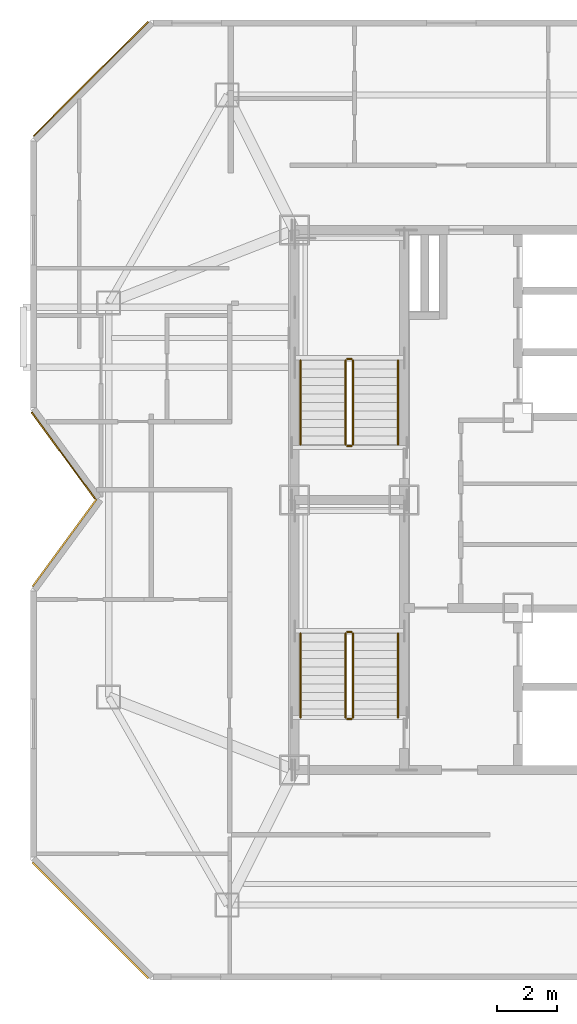
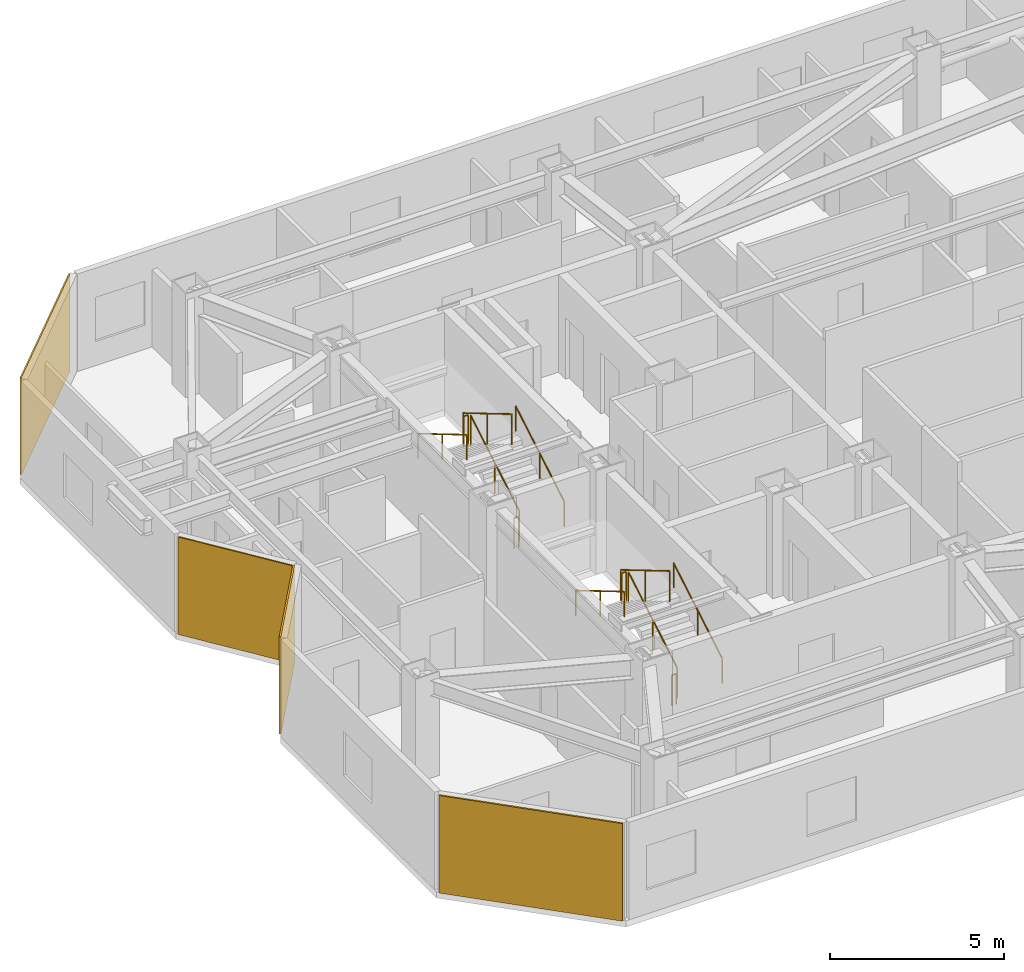
# One storey, part 9 of 10: 12 railings, 4 coverings.
"""IFC4 building model written with IfcOpenShell, lengths in metres."""

from ifc_helpers import new_model, si_unit, direction, frame, origin, origin_2d, place, context, subcontext, project, spatial, rectangle, circle, extrude, material, layer, layer_set, type_object, element, save


model = new_model("IFC4")

# Units and contexts
model_context = context("Model", 3, precision=1e-05, world=origin(), true_north=direction((0.0, 1.0)))
body_context = subcontext(model_context, "Body", "Model", "MODEL_VIEW")
ifc_project = project(units=[si_unit("LENGTHUNIT", "METRE"), si_unit("AREAUNIT", "SQUARE_METRE"), si_unit("VOLUMEUNIT", "CUBIC_METRE"), si_unit("PLANEANGLEUNIT", "RADIAN"), si_unit("MASSUNIT", "GRAM", prefix="KILO")], contexts=[model_context])

# Site, building, storey
site_placement = place(None, origin())
site = spatial("IfcSite", under=ifc_project, at=site_placement, CompositionType="ELEMENT")
building_placement = place(site_placement, origin())
building = spatial("IfcBuilding", under=site, at=building_placement, Name="Khamvora Tower", CompositionType="ELEMENT")
storey_placement = place(building_placement, frame((0.0, 0.0, 257.35009765625)))
storey = spatial("IfcBuildingStorey", under=building, at=storey_placement, Name="L66", CompositionType="ELEMENT", Elevation=257.35009765625)

# Coverings
ifc_material_1 = material(Name="Pale Anodised Aluminium Rainscreen Panel", Category="aluminium")
ifc_layer_1 = layer(ifc_material_1, 0.044921875)
ifc_layer_set_1 = layer_set([ifc_layer_1], Name="Pale Anodised Aluminium Rainscreen Panel")
covering_type_1 = type_object("IfcCoveringType", Name="COV-CLD-ALU", PredefinedType="CLADDING", material=ifc_layer_set_1)
covering_1_placement = place(storey_placement, frame((21.291015625, 29.48095703125, 0.0), z_axis=(0.0, 0.0, 1.0), x_axis=(-0.591257495158, 0.806482841987, 0.0)))
element("IfcCovering", 1, at=covering_1_placement, inside=storey, type_object=covering_type_1, Name="L66 chamfer rainscreen cladding 04.1", PredefinedType="CLADDING", context=body_context, shape_type="SweptSolid", body=[
    extrude(rectangle(XDim=3.574951171875, YDim=0.044921875, at=origin_2d()), origin(), (0.0, 0.0, 1.0), 3.429931640625),
])
covering_2_placement = place(storey_placement, frame((22.208984375, 42.034912109375, 0.0), z_axis=(0.0, 0.0, 1.0), x_axis=(0.707106781187, 0.707106781187, 0.0)))
element("IfcCovering", 2, at=covering_2_placement, inside=storey, type_object=covering_type_1, Name="L66 chamfer rainscreen cladding 06.1", PredefinedType="CLADDING", context=body_context, shape_type="SweptSolid", body=[
    extrude(rectangle(XDim=5.410888671875, YDim=0.044921875, at=origin_2d()), origin(), (0.0, 0.0, 1.0), 3.429931640625),
])
ifc_material_2 = material(Name="Anodised Bronze Aluminium Spandrel Panel", Category="aluminium")
ifc_layer_2 = layer(ifc_material_2, 0.054931640625)
ifc_layer_set_2 = layer_set([ifc_layer_2], Name="Anodised Bronze Aluminium Spandrel Panel")
covering_type_2 = type_object("IfcCoveringType", Name="COV-CLD-BRZ", PredefinedType="CLADDING", material=ifc_layer_set_2)
covering_3_placement = place(storey_placement, frame((22.18701171875, 13.987060546875, 0.0), z_axis=(0.0, 0.0, 1.0), x_axis=(-0.707106781187, 0.707106781187, 0.0)))
element("IfcCovering", 3, at=covering_3_placement, inside=storey, type_object=covering_type_2, Name="L66 chamfer rainscreen cladding 01.1", PredefinedType="CLADDING", context=body_context, shape_type="SweptSolid", body=[
    extrude(rectangle(XDim=5.472900390625, YDim=0.054931640625, at=origin_2d()), origin(), (0.0, 0.0, 1.0), 3.429931640625),
])
covering_4_placement = place(storey_placement, frame((21.3310546875, 26.572998046875, 0.0), z_axis=(0.0, 0.0, 1.0), x_axis=(0.591387023888, 0.806387864478, 0.0)))
element("IfcCovering", 4, at=covering_4_placement, inside=storey, type_object=covering_type_2, Name="L66 chamfer rainscreen cladding 03.1", PredefinedType="CLADDING", context=body_context, shape_type="SweptSolid", body=[
    extrude(rectangle(XDim=3.612060546875, YDim=0.054931640625, at=origin_2d()), origin(), (0.0, 0.0, 1.0), 3.429931640625),
])

# Railings
ifc_material_3 = material(Name="Brushed Stainless Steel 316", Category="steel")
railing_type_1 = type_object("IfcRailingType", Name="RAL-HDR-920", PredefinedType="HANDRAIL", material=ifc_material_3)
railing_1_placement = place(storey_placement, frame((32.449951171875, 20.75, 0.165771484375)))
element("IfcRailing", 5, at=railing_1_placement, inside=storey, type_object=railing_type_1, Name="L66 ST-01 stair handrail 1", PredefinedType="HANDRAIL", context=body_context, shape_type="SweptSolid", body=[
    extrude(circle(Radius=0.02392578125, at=origin_2d()), frame((0.0, 0.0, 0.8759765625), z_axis=(0.0, 0.860306154799, 0.50977771628), x_axis=(-1.0, 0.0, 0.0)), (0.0, 0.0, 1.0), 3.254638671875),
    extrude(circle(Radius=0.02099609375, at=origin_2d()), origin(), (0.0, 0.0, 1.0), 0.851806640625),
    extrude(circle(Radius=0.02099609375, at=origin_2d()), frame((0.0, 1.39990234375, 0.82958984375)), (0.0, 0.0, 1.0), 0.851806640625),
    extrude(circle(Radius=0.02099609375, at=origin_2d()), frame((0.0, 2.800048828125, 1.6591796875)), (0.0, 0.0, 1.0), 0.851806640625),
])
railing_2_placement = place(storey_placement, frame((29.199951171875, 23.550048828125, 1.99072265625)))
element("IfcRailing", 6, at=railing_2_placement, inside=storey, type_object=railing_type_1, Name="L66 ST-01 stair handrail 2", PredefinedType="HANDRAIL", context=body_context, shape_type="SweptSolid", body=[
    extrude(circle(Radius=0.02392578125, at=origin_2d()), frame((0.0, 0.0, 0.8759765625), z_axis=(0.0, -0.860306154799, 0.50977771628), x_axis=(1.0, 0.0, 0.0)), (0.0, 0.0, 1.0), 3.254638671875),
    extrude(circle(Radius=0.02099609375, at=origin_2d()), origin(), (0.0, 0.0, 1.0), 0.851806640625),
    extrude(circle(Radius=0.02099609375, at=origin_2d()), frame((0.0, -1.39990234375, 0.82958984375)), (0.0, 0.0, 1.0), 0.851806640625),
    extrude(circle(Radius=0.02099609375, at=origin_2d()), frame((0.0, -2.800048828125, 1.6591796875)), (0.0, 0.0, 1.0), 0.851806640625),
])
railing_3_placement = place(storey_placement, frame((32.449951171875, 29.85009765625, 0.165771484375)))
element("IfcRailing", 7, at=railing_3_placement, inside=storey, type_object=railing_type_1, Name="L66 ST-02 stair handrail 1", PredefinedType="HANDRAIL", context=body_context, shape_type="SweptSolid", body=[
    extrude(circle(Radius=0.02392578125, at=origin_2d()), frame((0.0, 0.0, 0.8759765625), z_axis=(0.0, 0.860286659441, 0.509810615413), x_axis=(-1.0, 0.0, 0.0)), (0.0, 0.0, 1.0), 3.25439453125),
    extrude(circle(Radius=0.02099609375, at=origin_2d()), origin(), (0.0, 0.0, 1.0), 0.851806640625),
    extrude(circle(Radius=0.02099609375, at=origin_2d()), frame((0.0, 1.39990234375, 0.82958984375)), (0.0, 0.0, 1.0), 0.851806640625),
    extrude(circle(Radius=0.02099609375, at=origin_2d()), frame((0.0, 2.7998046875, 1.6591796875)), (0.0, 0.0, 1.0), 0.851806640625),
])
railing_4_placement = place(storey_placement, frame((29.199951171875, 32.64990234375, 1.99072265625)))
element("IfcRailing", 8, at=railing_4_placement, inside=storey, type_object=railing_type_1, Name="L66 ST-02 stair handrail 2", PredefinedType="HANDRAIL", context=body_context, shape_type="SweptSolid", body=[
    extrude(circle(Radius=0.02392578125, at=origin_2d()), frame((0.0, 0.0, 0.8759765625), z_axis=(0.0, -0.860286659441, 0.509810615413), x_axis=(1.0, 0.0, 0.0)), (0.0, 0.0, 1.0), 3.25439453125),
    extrude(circle(Radius=0.02099609375, at=origin_2d()), origin(), (0.0, 0.0, 1.0), 0.851806640625),
    extrude(circle(Radius=0.02099609375, at=origin_2d()), frame((0.0, -1.39990234375, 0.82958984375)), (0.0, 0.0, 1.0), 0.851806640625),
    extrude(circle(Radius=0.02099609375, at=origin_2d()), frame((0.0, -2.7998046875, 1.6591796875)), (0.0, 0.0, 1.0), 0.851806640625),
])
ifc_material_4 = material(Name="Stainless Steel 316", Category="steel")
railing_type_2 = type_object("IfcRailingType", Name="RAL-STG-1100", PredefinedType="GUARDRAIL", material=ifc_material_4)
railing_5_placement = place(storey_placement, frame((30.949951171875, 20.75, 0.165771484375)))
element("IfcRailing", 9, at=railing_5_placement, inside=storey, type_object=railing_type_2, Name="L66 ST-01 stair guard 1", PredefinedType="GUARDRAIL", context=body_context, shape_type="SweptSolid", body=[
    extrude(circle(Radius=0.02392578125, at=origin_2d()), frame((0.0, 0.0, 1.076171875), z_axis=(0.0, 0.860306154799, 0.50977771628), x_axis=(-1.0, 0.0, 0.0)), (0.0, 0.0, 1.0), 3.254638671875),
    extrude(circle(Radius=0.02099609375, at=origin_2d()), origin(), (0.0, 0.0, 1.0), 1.052001953125),
    extrude(circle(Radius=0.02099609375, at=origin_2d()), frame((0.0, 1.39990234375, 0.82958984375)), (0.0, 0.0, 1.0), 1.052001953125),
    extrude(circle(Radius=0.02099609375, at=origin_2d()), frame((0.0, 2.800048828125, 1.6591796875)), (0.0, 0.0, 1.0), 1.052001953125),
])
railing_6_placement = place(storey_placement, frame((30.89990234375, 23.60009765625, 1.824951171875)))
element("IfcRailing", 10, at=railing_6_placement, inside=storey, type_object=railing_type_2, Name="L66 ST-01 stair guard 2", PredefinedType="GUARDRAIL", context=body_context, shape_type="SweptSolid", body=[
    extrude(circle(Radius=0.02392578125, at=origin_2d()), frame((0.0, 0.0, 1.076171875), z_axis=(-1.0, 0.0, 0.0), x_axis=(0.0, -1.0, 0.0)), (0.0, 0.0, 1.0), 0.14990234375),
    extrude(circle(Radius=0.02099609375, at=origin_2d()), origin(), (0.0, 0.0, 1.0), 1.052001953125),
    extrude(circle(Radius=0.02099609375, at=origin_2d()), frame((-0.14990234375, 0.0, 0.0)), (0.0, 0.0, 1.0), 1.052001953125),
])
railing_7_placement = place(storey_placement, frame((30.699951171875, 23.550048828125, 1.99072265625)))
element("IfcRailing", 11, at=railing_7_placement, inside=storey, type_object=railing_type_2, Name="L66 ST-01 stair guard 3", PredefinedType="GUARDRAIL", context=body_context, shape_type="SweptSolid", body=[
    extrude(circle(Radius=0.02392578125, at=origin_2d()), frame((0.0, 0.0, 1.076171875), z_axis=(0.0, -0.860306154799, 0.50977771628), x_axis=(1.0, 0.0, 0.0)), (0.0, 0.0, 1.0), 3.254638671875),
    extrude(circle(Radius=0.02099609375, at=origin_2d()), origin(), (0.0, 0.0, 1.0), 1.052001953125),
    extrude(circle(Radius=0.02099609375, at=origin_2d()), frame((0.0, -1.39990234375, 0.82958984375)), (0.0, 0.0, 1.0), 1.052001953125),
    extrude(circle(Radius=0.02099609375, at=origin_2d()), frame((0.0, -2.800048828125, 1.6591796875)), (0.0, 0.0, 1.0), 1.052001953125),
])
railing_8_placement = place(storey_placement, frame((30.89990234375, 20.699951171875, 0.0)))
element("IfcRailing", 12, at=railing_8_placement, inside=storey, type_object=railing_type_2, Name="L66 ST-01 stair guard 4", PredefinedType="GUARDRAIL", context=body_context, shape_type="SweptSolid", body=[
    extrude(circle(Radius=0.02392578125, at=origin_2d()), frame((0.0, 0.0, 1.076171875), z_axis=(-1.0, 0.0, 0.0), x_axis=(0.0, -1.0, 0.0)), (0.0, 0.0, 1.0), 0.14990234375),
    extrude(circle(Radius=0.02099609375, at=origin_2d()), origin(), (0.0, 0.0, 1.0), 1.052001953125),
    extrude(circle(Radius=0.02099609375, at=origin_2d()), frame((-0.14990234375, 0.0, 0.0)), (0.0, 0.0, 1.0), 1.052001953125),
])
railing_9_placement = place(storey_placement, frame((30.949951171875, 29.85009765625, 0.165771484375)))
element("IfcRailing", 13, at=railing_9_placement, inside=storey, type_object=railing_type_2, Name="L66 ST-02 stair guard 1", PredefinedType="GUARDRAIL", context=body_context, shape_type="SweptSolid", body=[
    extrude(circle(Radius=0.02392578125, at=origin_2d()), frame((0.0, 0.0, 1.076171875), z_axis=(0.0, 0.860286659441, 0.509810615413), x_axis=(-1.0, 0.0, 0.0)), (0.0, 0.0, 1.0), 3.25439453125),
    extrude(circle(Radius=0.02099609375, at=origin_2d()), origin(), (0.0, 0.0, 1.0), 1.052001953125),
    extrude(circle(Radius=0.02099609375, at=origin_2d()), frame((0.0, 1.39990234375, 0.82958984375)), (0.0, 0.0, 1.0), 1.052001953125),
    extrude(circle(Radius=0.02099609375, at=origin_2d()), frame((0.0, 2.7998046875, 1.6591796875)), (0.0, 0.0, 1.0), 1.052001953125),
])
railing_10_placement = place(storey_placement, frame((30.89990234375, 32.699951171875, 1.824951171875)))
element("IfcRailing", 14, at=railing_10_placement, inside=storey, type_object=railing_type_2, Name="L66 ST-02 stair guard 2", PredefinedType="GUARDRAIL", context=body_context, shape_type="SweptSolid", body=[
    extrude(circle(Radius=0.02392578125, at=origin_2d()), frame((0.0, 0.0, 1.076171875), z_axis=(-1.0, 0.0, 0.0), x_axis=(0.0, -1.0, 0.0)), (0.0, 0.0, 1.0), 0.14990234375),
    extrude(circle(Radius=0.02099609375, at=origin_2d()), origin(), (0.0, 0.0, 1.0), 1.052001953125),
    extrude(circle(Radius=0.02099609375, at=origin_2d()), frame((-0.14990234375, 0.0, 0.0)), (0.0, 0.0, 1.0), 1.052001953125),
])
railing_11_placement = place(storey_placement, frame((30.699951171875, 32.64990234375, 1.99072265625)))
element("IfcRailing", 15, at=railing_11_placement, inside=storey, type_object=railing_type_2, Name="L66 ST-02 stair guard 3", PredefinedType="GUARDRAIL", context=body_context, shape_type="SweptSolid", body=[
    extrude(circle(Radius=0.02392578125, at=origin_2d()), frame((0.0, 0.0, 1.076171875), z_axis=(0.0, -0.860286659441, 0.509810615413), x_axis=(1.0, 0.0, 0.0)), (0.0, 0.0, 1.0), 3.25439453125),
    extrude(circle(Radius=0.02099609375, at=origin_2d()), origin(), (0.0, 0.0, 1.0), 1.052001953125),
    extrude(circle(Radius=0.02099609375, at=origin_2d()), frame((0.0, -1.39990234375, 0.82958984375)), (0.0, 0.0, 1.0), 1.052001953125),
    extrude(circle(Radius=0.02099609375, at=origin_2d()), frame((0.0, -2.7998046875, 1.6591796875)), (0.0, 0.0, 1.0), 1.052001953125),
])
railing_12_placement = place(storey_placement, frame((30.89990234375, 29.800048828125, 0.0)))
element("IfcRailing", 16, at=railing_12_placement, inside=storey, type_object=railing_type_2, Name="L66 ST-02 stair guard 4", PredefinedType="GUARDRAIL", context=body_context, shape_type="SweptSolid", body=[
    extrude(circle(Radius=0.02392578125, at=origin_2d()), frame((0.0, 0.0, 1.076171875), z_axis=(-1.0, 0.0, 0.0), x_axis=(0.0, -1.0, 0.0)), (0.0, 0.0, 1.0), 0.14990234375),
    extrude(circle(Radius=0.02099609375, at=origin_2d()), origin(), (0.0, 0.0, 1.0), 1.052001953125),
    extrude(circle(Radius=0.02099609375, at=origin_2d()), frame((-0.14990234375, 0.0, 0.0)), (0.0, 0.0, 1.0), 1.052001953125),
])

save(model, "model.ifc")
